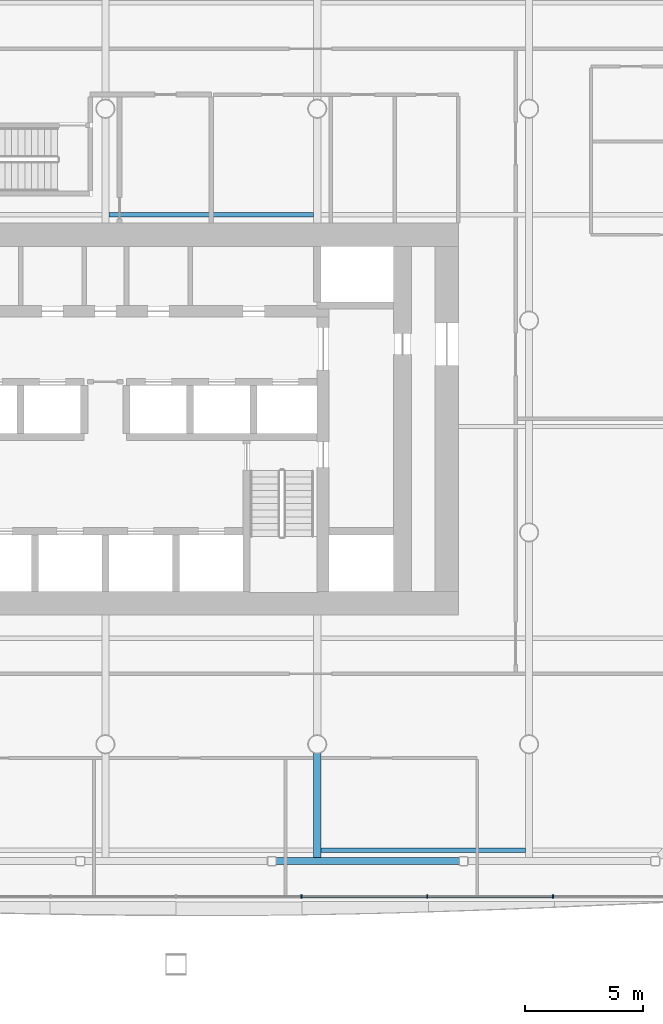
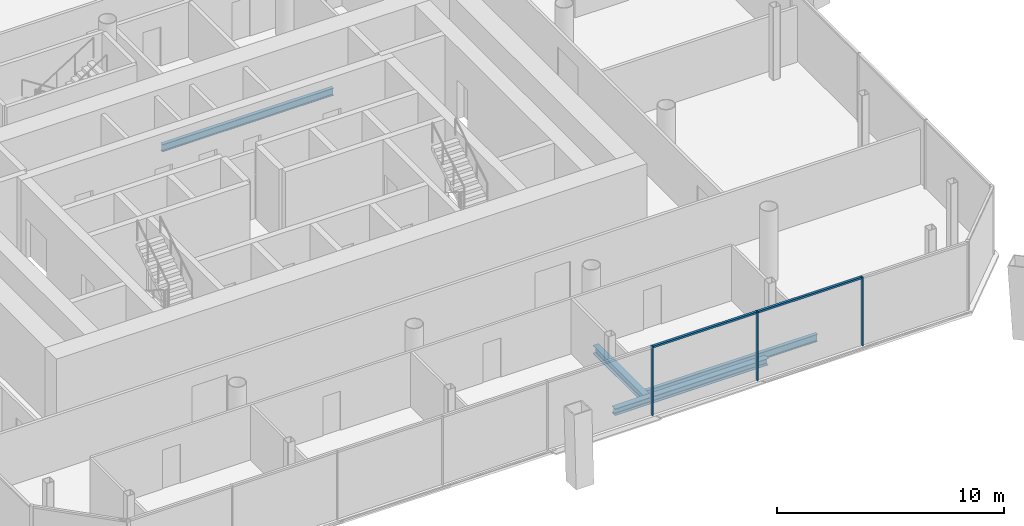
# One storey, part 5 of 19: 5 members, 4 beams, 1 element without a shape of its own.
"""IFC4 building model written with IfcOpenShell, lengths in metres."""

from ifc_helpers import new_model, si_unit, direction, frame, origin, origin_2d, place, context, subcontext, project, spatial, rectangle, i_section, extrude, material, material_profile, profile_set, type_object, element, aggregate, save


model = new_model("IFC4")

# Units and contexts
model_context = context("Model", 3, precision=1e-05, world=origin(), true_north=direction((0.0, 1.0)))
body_context = subcontext(model_context, "Body", "Model", "MODEL_VIEW")
ifc_project = project(units=[si_unit("LENGTHUNIT", "METRE"), si_unit("AREAUNIT", "SQUARE_METRE"), si_unit("VOLUMEUNIT", "CUBIC_METRE"), si_unit("PLANEANGLEUNIT", "RADIAN"), si_unit("MASSUNIT", "GRAM", prefix="KILO")], contexts=[model_context])

# Site, building, storey
site_placement = place(None, origin())
site = spatial("IfcSite", under=ifc_project, at=site_placement, CompositionType="ELEMENT")
building_placement = place(site_placement, origin())
building = spatial("IfcBuilding", under=site, at=building_placement, Name="Tskaro Facet Tower", CompositionType="ELEMENT")
storey_placement = place(building_placement, frame((0.0, 0.0, 89.39990234375)))
storey = spatial("IfcBuildingStorey", under=building, at=storey_placement, Name="L21", CompositionType="ELEMENT", Elevation=89.39990234375)

# Curtain wall, members
ifc_material_1 = material(Name="Bronze anodised aluminium 6063-T6", Category="aluminium")
curtain_wall_type = type_object("IfcCurtainWallType", Name="Bronze office curtain wall (FW1)", PredefinedType="NOTDEFINED", material=ifc_material_1)
curtain_wall_placement = place(storey_placement, origin())
curtain_wall = element("IfcCurtainWall", 1, at=curtain_wall_placement, inside=storey, type_object=curtain_wall_type, Name="FW1 south facet L21", PredefinedType="NOTDEFINED")
ifc_material_profile_1 = material_profile(ifc_material_1, rectangle(XDim=0.06005859375, YDim=0.159912109375, at=origin_2d()), Name="Mullion 60x160")
ifc_profile_set_1 = profile_set([ifc_material_profile_1], Name="Bronze anodised aluminium 6063-T6")
member_type_1 = type_object("IfcMemberType", Name="FW1 bronze mullion 60x160", PredefinedType="MULLION", material=ifc_profile_set_1)
member_1_placement = place(storey_placement, frame((8.3369140625, -24.462890625, 0.0), z_axis=(0.0, 0.0, 1.0), x_axis=(1.0, 0.0, 0.0)))
member_1 = element("IfcMember", 2, at=member_1_placement, type_object=member_type_1, Name="FW1 south mullion 5", PredefinedType="MULLION", context=body_context, shape_type="SweptSolid", body=[
    extrude(rectangle(XDim=0.06005859375, YDim=0.159912109375, at=origin_2d()), origin(), (0.0, 0.0, 1.0), 3.7001953125),
])
member_2_placement = place(storey_placement, frame((13.674072265625, -24.462890625, 0.0), z_axis=(0.0, 0.0, 1.0), x_axis=(1.0, 0.0, 0.0)))
member_2 = element("IfcMember", 3, at=member_2_placement, type_object=member_type_1, Name="FW1 south mullion 6", PredefinedType="MULLION", context=body_context, shape_type="SweptSolid", body=[
    extrude(rectangle(XDim=0.06005859375, YDim=0.159912109375, at=origin_2d()), origin(), (0.0, 0.0, 1.0), 3.7001953125),
])
member_3_placement = place(storey_placement, frame((19.010986328125, -24.462890625, 0.0), z_axis=(0.0, 0.0, 1.0), x_axis=(1.0, 0.0, 0.0)))
member_3 = element("IfcMember", 4, at=member_3_placement, type_object=member_type_1, Name="FW1 south mullion 7", PredefinedType="MULLION", context=body_context, shape_type="SweptSolid", body=[
    extrude(rectangle(XDim=0.06005859375, YDim=0.159912109375, at=origin_2d()), origin(), (0.0, 0.0, 1.0), 3.7001953125),
])
ifc_material_profile_2 = material_profile(ifc_material_1, rectangle(XDim=0.1201171875, YDim=0.10009765625, at=origin_2d()), Name="Transom 120x100")
ifc_profile_set_2 = profile_set([ifc_material_profile_2], Name="Bronze anodised aluminium 6063-T6")
member_type_2 = type_object("IfcMemberType", Name="FW1 bronze transom 120x100", PredefinedType="USERDEFINED", material=ifc_profile_set_2)
member_4_placement = place(storey_placement, frame((8.366943359375, -24.462890625, 3.650146484375), z_axis=(1.0, 0.0, 0.0), x_axis=(0.0, 1.0, 0.0)))
member_4 = element("IfcMember", 5, at=member_4_placement, type_object=member_type_2, Name="FW1 south transom 6.1", ObjectType="TRANSOM", PredefinedType="USERDEFINED", context=body_context, shape_type="SweptSolid", body=[
    extrude(rectangle(XDim=0.1201171875, YDim=0.10009765625, at=origin_2d()), origin(), (0.0, 0.0, 1.0), 5.277099609375),
])
member_5_placement = place(storey_placement, frame((13.7041015625, -24.462890625, 3.650146484375), z_axis=(1.0, 0.0, 0.0), x_axis=(0.0, 1.0, 0.0)))
member_5 = element("IfcMember", 6, at=member_5_placement, type_object=member_type_2, Name="FW1 south transom 7.1", ObjectType="TRANSOM", PredefinedType="USERDEFINED", context=body_context, shape_type="SweptSolid", body=[
    extrude(rectangle(XDim=0.1201171875, YDim=0.10009765625, at=origin_2d()), origin(), (0.0, 0.0, 1.0), 5.27685546875),
])
aggregate(curtain_wall, [member_1, member_2, member_3, member_4, member_5])

# Beams
ifc_material_2 = material(Name="Steel S355J2", Category="steel")
ifc_material_profile_3 = material_profile(ifc_material_2, i_section(OverallWidth=0.300048828125, OverallDepth=0.360107421875, WebThickness=0.012451171875, FlangeThickness=0.0224609375, FilletRadius=0.027099609375, at=origin_2d()), Name="HE 360 B")
ifc_profile_set_3 = profile_set([ifc_material_profile_3], Name="Steel S355J2")
beam_type_1 = type_object("IfcBeamType", Name="HE 360 B ring beam", PredefinedType="BEAM", material=ifc_profile_set_3)
beam_1_placement = place(storey_placement, frame((7.2529296875, -22.965087890625, -0.31982421875), z_axis=(1.0, 0.0, 0.0), x_axis=(0.0, 1.0, 0.0)))
element("IfcBeam", 7, at=beam_1_placement, inside=storey, type_object=beam_type_1, Name="HE 360 B EB4-2", PredefinedType="BEAM", context=body_context, shape_type="SweptSolid", body=[
    extrude(i_section(OverallWidth=0.300048828125, OverallDepth=0.360107421875, WebThickness=0.012451171875, FlangeThickness=0.0224609375, FilletRadius=0.027099609375, at=origin_2d()), origin(), (0.0, 0.0, 1.0), 7.78515625),
])
ifc_material_profile_4 = material_profile(ifc_material_2, i_section(OverallWidth=0.300048828125, OverallDepth=0.43994140625, WebThickness=0.011474609375, FlangeThickness=0.02099609375, FilletRadius=0.027099609375, at=origin_2d()), Name="HE 450 A")
ifc_profile_set_4 = profile_set([ifc_material_profile_4], Name="Steel S355J2")
beam_type_2 = type_object("IfcBeamType", Name="HE 450 A girder", PredefinedType="BEAM", material=ifc_profile_set_4)
beam_2_placement = place(storey_placement, frame((9.0, -22.81494140625, -0.35986328125), z_axis=(0.0, 1.0, 0.0), x_axis=(-1.0, 0.0, 0.0)))
element("IfcBeam", 8, at=beam_2_placement, inside=storey, type_object=beam_type_2, Name="HE 450 A GB5-1-2", PredefinedType="BEAM", context=body_context, shape_type="SweptSolid", body=[
    extrude(i_section(OverallWidth=0.300048828125, OverallDepth=0.43994140625, WebThickness=0.011474609375, FlangeThickness=0.02099609375, FilletRadius=0.027099609375, at=origin_2d()), origin(), (0.0, 0.0, 1.0), 4.4384765625),
])
ifc_material_profile_5 = material_profile(ifc_material_2, i_section(OverallWidth=0.179931640625, OverallDepth=0.39990234375, WebThickness=0.008544921875, FlangeThickness=0.013427734375, FilletRadius=0.02099609375, at=origin_2d()), Name="IPE 400")
ifc_profile_set_5 = profile_set([ifc_material_profile_5], Name="Steel S355J2")
beam_type_3 = type_object("IfcBeamType", Name="IPE 400 secondary beam", PredefinedType="BEAM", material=ifc_profile_set_5)
for number, where, z_axis, x_axis, name in (
    (9, (9.14990234375, -22.5, -0.33984375), (1.0, 0.0, 0.0), (0.0, 1.0, 0.0), "IPE 400 SB1a-4-2"),
    (10, (0.14990234375, 4.5, -0.33984375), (1.0, 0.0, 0.0), (0.0, 1.0, 0.0), "IPE 400 SB4a-3-2"),
):
    element("IfcBeam", number, at=place(storey_placement, frame(where, z_axis=z_axis, x_axis=x_axis)), inside=storey, type_object=beam_type_3, Name=name, PredefinedType="BEAM", context=body_context, shape_type="SweptSolid", body=[
        extrude(i_section(OverallWidth=0.179931640625, OverallDepth=0.39990234375, WebThickness=0.008544921875, FlangeThickness=0.013427734375, FilletRadius=0.02099609375, at=origin_2d()), origin(), (0.0, 0.0, 1.0), 8.7001953125),
    ])

save(model, "model.ifc")
